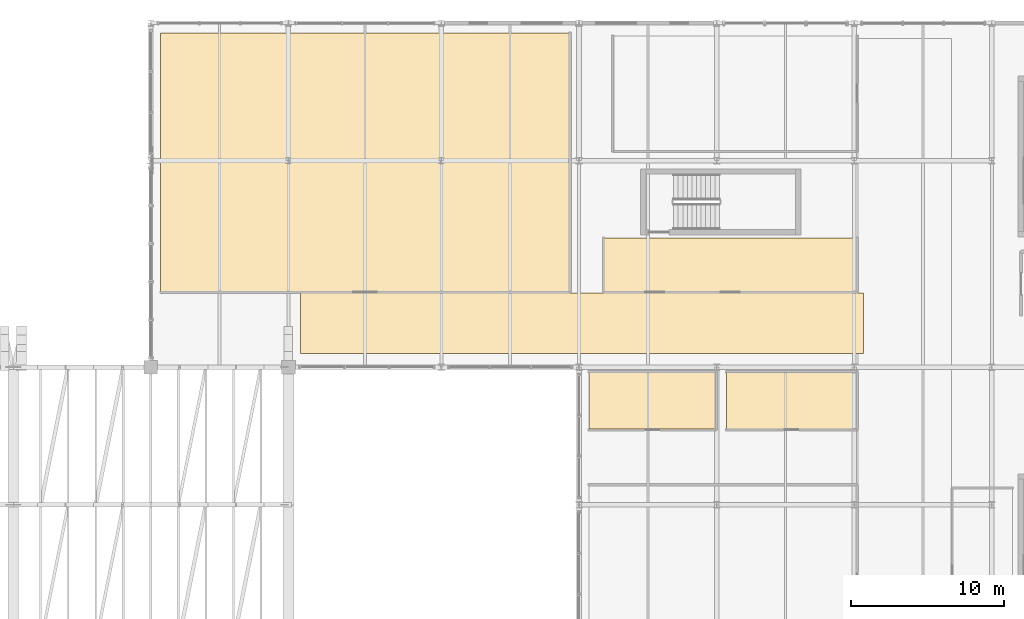
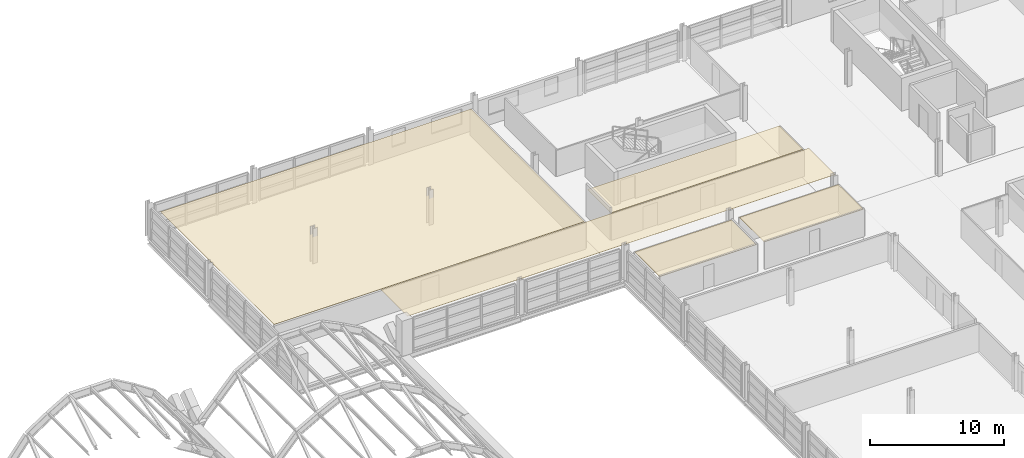
# One storey, part 83 of 86: 5 coverings.
"""IFC4 building model written with IfcOpenShell, lengths in metres."""

from ifc_helpers import new_model, si_unit, direction, frame, origin, place, context, subcontext, project, spatial, polyline, outline, extrude, material, layer, layer_set, type_object, element, save


model = new_model("IFC4")

# Units and contexts
model_context = context("Model", 3, precision=1e-05, world=origin(), true_north=direction((0.0, 1.0)))
body_context = subcontext(model_context, "Body", "Model", "MODEL_VIEW")
ifc_project = project(units=[si_unit("LENGTHUNIT", "METRE"), si_unit("AREAUNIT", "SQUARE_METRE"), si_unit("VOLUMEUNIT", "CUBIC_METRE"), si_unit("PLANEANGLEUNIT", "RADIAN"), si_unit("MASSUNIT", "GRAM", prefix="KILO")], contexts=[model_context])

# Site, building, storey
site_placement = place(None, origin())
site = spatial("IfcSite", under=ifc_project, at=site_placement, CompositionType="ELEMENT")
building_placement = place(site_placement, origin())
building = spatial("IfcBuilding", under=site, at=building_placement, Name="Chuanluo Vaults Station", CompositionType="ELEMENT")
storey_placement = place(building_placement, frame((0.0, 0.0, 14.39990234375)))
storey = spatial("IfcBuildingStorey", under=building, at=storey_placement, Name="L03", CompositionType="ELEMENT", Elevation=14.39990234375)

# Coverings
ifc_material = material(Name="Acoustic mineral-fibre tile")
ifc_layer = layer(ifc_material, 0.02490234375)
ifc_layer_set = layer_set([ifc_layer], Name="Acoustic mineral-fibre tile")
covering_type = type_object("IfcCoveringType", Name="COV-CEIL-TILE", PredefinedType="CEILING", material=ifc_layer_set)
covering_1_placement = place(storey_placement, frame((0.0, 0.0, 2.400146484375)))
element("IfcCovering", 1, at=covering_1_placement, inside=storey, type_object=covering_type, Name="L03-08 suspended acoustic ceiling", PredefinedType="CEILING", context=body_context, shape_type="SweptSolid", body=[
    extrude(outline(polyline([(117.639892578125, 108.43994140625), (144.360107421875, 108.43994140625), (144.360107421875, 125.360107421875), (117.639892578125, 125.360107421875), (117.639892578125, 108.43994140625)])), origin(), (0.0, 0.0, 1.0), 0.02490234375),
])
covering_2_placement = place(storey_placement, frame((0.0, 0.0, 2.400146484375)))
element("IfcCovering", 2, at=covering_2_placement, inside=storey, type_object=covering_type, Name="L03-11 suspended acoustic ceiling", PredefinedType="CEILING", context=body_context, shape_type="SweptSolid", body=[
    extrude(outline(polyline([(146.639892578125, 108.43994140625), (163.159912109375, 108.43994140625), (163.159912109375, 111.9599609375), (146.639892578125, 111.9599609375), (146.639892578125, 108.43994140625)])), origin(), (0.0, 0.0, 1.0), 0.02490234375),
])
covering_3_placement = place(storey_placement, frame((0.0, 0.0, 2.400146484375)))
element("IfcCovering", 3, at=covering_3_placement, inside=storey, type_object=covering_type, Name="L03-12 suspended acoustic ceiling", PredefinedType="CEILING", context=body_context, shape_type="SweptSolid", body=[
    extrude(outline(polyline([(145.639892578125, 99.43994140625), (153.9599609375, 99.43994140625), (153.9599609375, 103.159912109375), (145.639892578125, 103.159912109375), (145.639892578125, 99.43994140625)])), origin(), (0.0, 0.0, 1.0), 0.02490234375),
])
covering_4_placement = place(storey_placement, frame((0.0, 0.0, 2.400146484375)))
element("IfcCovering", 4, at=covering_4_placement, inside=storey, type_object=covering_type, Name="L03-13 suspended acoustic ceiling", PredefinedType="CEILING", context=body_context, shape_type="SweptSolid", body=[
    extrude(outline(polyline([(154.639892578125, 99.43994140625), (163.159912109375, 99.43994140625), (163.159912109375, 103.159912109375), (154.639892578125, 103.159912109375), (154.639892578125, 99.43994140625)])), origin(), (0.0, 0.0, 1.0), 0.02490234375),
])
covering_5_placement = place(storey_placement, frame((0.0, 0.0, 2.400146484375)))
element("IfcCovering", 5, at=covering_5_placement, inside=storey, type_object=covering_type, Name="L03-16 suspended acoustic ceiling", PredefinedType="CEILING", context=body_context, shape_type="SweptSolid", body=[
    extrude(outline(polyline([(126.800048828125, 104.39990234375), (163.60009765625, 104.39990234375), (163.60009765625, 108.360107421875), (126.800048828125, 108.360107421875), (126.800048828125, 104.39990234375)])), origin(), (0.0, 0.0, 1.0), 0.02490234375),
])

save(model, "model.ifc")
